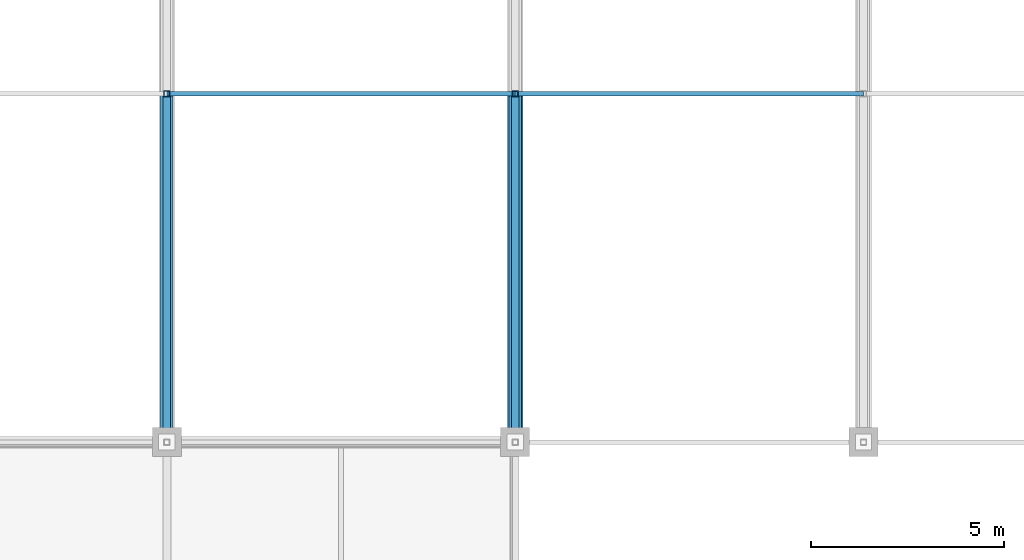
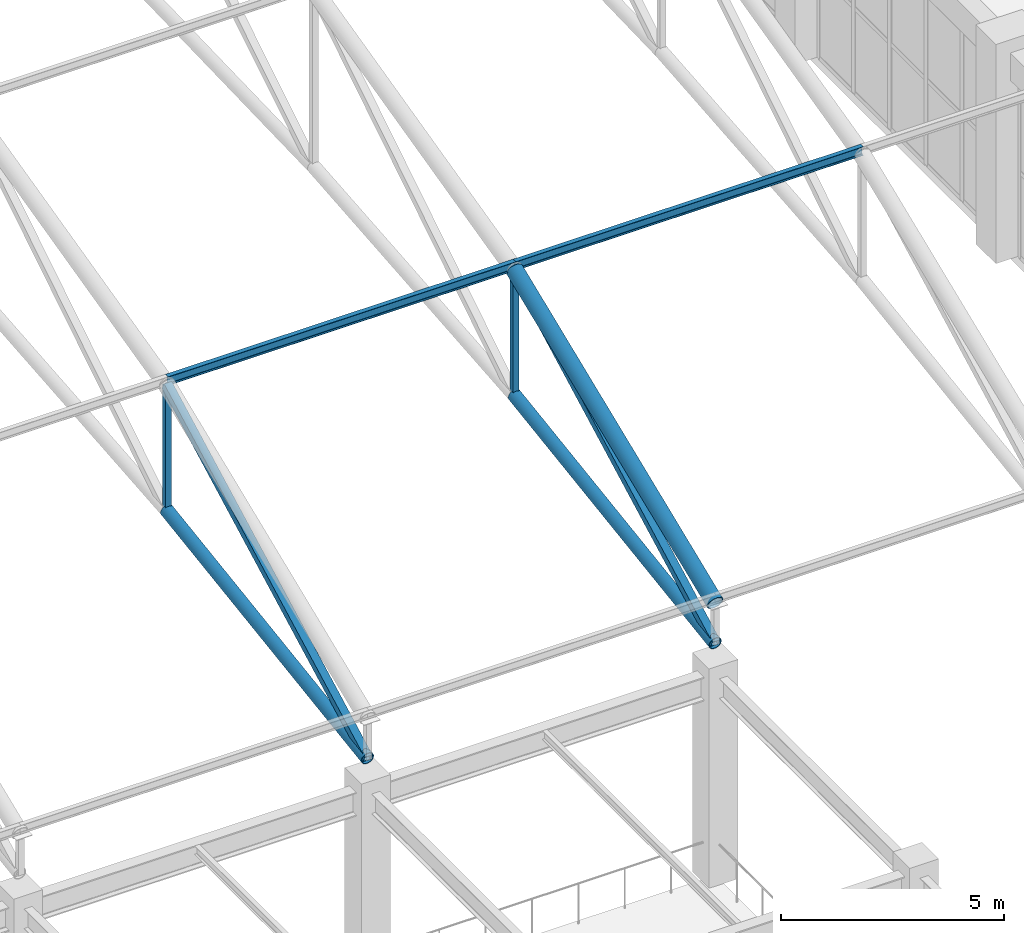
# One storey, part 86 of 223: 9 members.
"""IFC4 building model written with IfcOpenShell, lengths in metres."""

from ifc_helpers import new_model, si_unit, direction, frame, origin, origin_2d, place, context, subcontext, project, spatial, hollow_rectangle, hollow_circle, i_section, extrude, material, material_profile, profile_set, type_object, element, save


model = new_model("IFC4")

# Units and contexts
model_context = context("Model", 3, precision=1e-05, world=origin(), true_north=direction((0.0, 1.0)))
body_context = subcontext(model_context, "Body", "Model", "MODEL_VIEW")
ifc_project = project(units=[si_unit("LENGTHUNIT", "METRE"), si_unit("AREAUNIT", "SQUARE_METRE"), si_unit("VOLUMEUNIT", "CUBIC_METRE"), si_unit("PLANEANGLEUNIT", "RADIAN"), si_unit("MASSUNIT", "GRAM", prefix="KILO")], contexts=[model_context])

# Site, building, storey
site_placement = place(None, origin())
site = spatial("IfcSite", under=ifc_project, at=site_placement, CompositionType="ELEMENT")
building_placement = place(site_placement, origin())
building = spatial("IfcBuilding", under=site, at=building_placement, Name="Dornveld Trade and Exhibition Forum", CompositionType="ELEMENT")
storey_placement = place(building_placement, frame((0.0, 0.0, 6.0)))
storey = spatial("IfcBuildingStorey", under=building, at=storey_placement, Name="L01", CompositionType="ELEMENT", Elevation=6.0)

# Members
ifc_material_1 = material(Name="Steel S355J2", Category="steel")
ifc_material_profile_1 = material_profile(ifc_material_1, hollow_circle(Radius=0.161865234375, WallThickness=0.01611328125, at=origin_2d()), Name="CHS 323.9x16")
ifc_profile_set_1 = profile_set([ifc_material_profile_1], Name="Steel S355J2")
member_type_1 = type_object("IfcMemberType", Name="MEM-ARCH-BC", PredefinedType="CHORD", material=ifc_profile_set_1)
for number, where, z_axis, x_axis, name in (
    (1, (144.0, 108.0, 6.35009765625), (0.0, 0.989204758987, 0.146539908551), (-1.0, 0.0, 0.0), "H1 truss 6 tie chord 1"),
    (2, (153.0, 108.0, 6.35009765625), (0.0, 0.989204758987, 0.146539908551), (-1.0, 0.0, 0.0), "H1 truss 7 tie chord 1"),
):
    element("IfcMember", number, at=place(storey_placement, frame(where, z_axis=z_axis, x_axis=x_axis)), inside=storey, type_object=member_type_1, Name=name, PredefinedType="CHORD", context=body_context, shape_type="SweptSolid", body=[
        extrude(hollow_circle(Radius=0.161865234375, WallThickness=0.01611328125, at=origin_2d()), origin(), (0.0, 0.0, 1.0), 9.09814453125),
    ])
ifc_material_2 = material(Name="Steel S355J2", Category="steel")
ifc_material_profile_2 = material_profile(ifc_material_2, hollow_rectangle(XDim=0.14990234375, YDim=0.14990234375, WallThickness=0.008056640625, at=origin_2d()), Name="SHS 150x150x8")
ifc_profile_set_2 = profile_set([ifc_material_profile_2], Name="Steel S355J2")
member_type_2 = type_object("IfcMemberType", Name="MEM-ARCH-STR", PredefinedType="STRUT", material=ifc_profile_set_2)
for number, where, z_axis, x_axis, name in (
    (3, (144.0, 117.0, 7.683349609375), (0.0, 0.0, 1.0), (1.0, 0.0, 0.0), "H1 truss 6 strut 2"),
    (4, (153.0, 117.0, 7.683349609375), (0.0, 0.0, 1.0), (1.0, 0.0, 0.0), "H1 truss 7 strut 2"),
):
    element("IfcMember", number, at=place(storey_placement, frame(where, z_axis=z_axis, x_axis=x_axis)), inside=storey, type_object=member_type_2, Name=name, PredefinedType="STRUT", context=body_context, shape_type="SweptSolid", body=[
        extrude(hollow_rectangle(XDim=0.14990234375, YDim=0.14990234375, WallThickness=0.008056640625, at=origin_2d()), origin(), (0.0, 0.0, 1.0), 3.433349609375),
    ])
ifc_material_3 = material(Name="Steel S355J2", Category="steel")
ifc_material_profile_3 = material_profile(ifc_material_3, hollow_circle(Radius=0.203125, WallThickness=0.02001953125, at=origin_2d()), Name="CHS 406.4x20")
ifc_profile_set_3 = profile_set([ifc_material_profile_3], Name="Steel S355J2")
member_type_3 = type_object("IfcMemberType", Name="MEM-ARCH-TC", PredefinedType="CHORD", material=ifc_profile_set_3)
member_placement = place(storey_placement, frame((153.0, 108.0, 7.449951171875), z_axis=(0.0, 0.926089433793, 0.377304069177), x_axis=(-1.0, 0.0, 0.0)))
element("IfcMember", 5, at=member_placement, inside=storey, type_object=member_type_3, Name="H1 truss 7 top chord 1", PredefinedType="CHORD", context=body_context, shape_type="SweptSolid", body=[
    extrude(hollow_circle(Radius=0.203125, WallThickness=0.02001953125, at=origin_2d()), origin(), (0.0, 0.0, 1.0), 9.71826171875),
])
ifc_material_4 = material(Name="Steel S355J2", Category="steel")
ifc_material_profile_4 = material_profile(ifc_material_4, hollow_rectangle(XDim=0.199951171875, YDim=0.199951171875, WallThickness=0.010009765625, at=origin_2d()), Name="SHS 200x200x10")
ifc_profile_set_4 = profile_set([ifc_material_profile_4], Name="Steel S355J2")
member_type_4 = type_object("IfcMemberType", Name="MEM-ARCH-WEB", PredefinedType="BRACE", material=ifc_profile_set_4)
for number, where, z_axis, x_axis, name in (
    (6, (144.0, 108.0, 6.35009765625), (0.0, 0.883710934211, 0.468033102201), (-1.0, 0.0, 0.0), "H1 truss 6 web 1"),
    (7, (153.0, 108.0, 6.35009765625), (0.0, 0.883710934211, 0.468033102201), (-1.0, 0.0, 0.0), "H1 truss 7 web 1"),
):
    element("IfcMember", number, at=place(storey_placement, frame(where, z_axis=z_axis, x_axis=x_axis)), inside=storey, type_object=member_type_4, Name=name, PredefinedType="BRACE", context=body_context, shape_type="SweptSolid", body=[
        extrude(hollow_rectangle(XDim=0.199951171875, YDim=0.199951171875, WallThickness=0.010009765625, at=origin_2d()), origin(), (0.0, 0.0, 1.0), 10.184326171875),
    ])
ifc_material_5 = material(Name="Steel S355J2", Category="steel")
ifc_material_profile_5 = material_profile(ifc_material_5, i_section(OverallWidth=0.1201171875, OverallDepth=0.239990234375, WebThickness=0.006103515625, FlangeThickness=0.009765625, FilletRadius=0.014892578125, at=origin_2d()), Name="IPE 240")
ifc_profile_set_5 = profile_set([ifc_material_profile_5], Name="Steel S355J2")
member_type_5 = type_object("IfcMemberType", Name="MEM-PURLIN-240", PredefinedType="PURLIN", material=ifc_profile_set_5)
for number, where, z_axis, x_axis, name in (
    (8, (144.0, 117.0, 11.248779296875), (1.0, 0.0, 0.0), (0.0, 1.0, 0.0), "H1 bay 6 roof purlin 2"),
    (9, (153.0, 117.0, 11.248779296875), (1.0, 0.0, 0.0), (0.0, 1.0, 0.0), "H1 bay 7 roof purlin 2"),
):
    element("IfcMember", number, at=place(storey_placement, frame(where, z_axis=z_axis, x_axis=x_axis)), inside=storey, type_object=member_type_5, Name=name, PredefinedType="PURLIN", context=body_context, shape_type="SweptSolid", body=[
        extrude(i_section(OverallWidth=0.1201171875, OverallDepth=0.239990234375, WebThickness=0.006103515625, FlangeThickness=0.009765625, FilletRadius=0.014892578125, at=origin_2d()), origin(), (0.0, 0.0, 1.0), 9.0),
    ])

save(model, "model.ifc")
